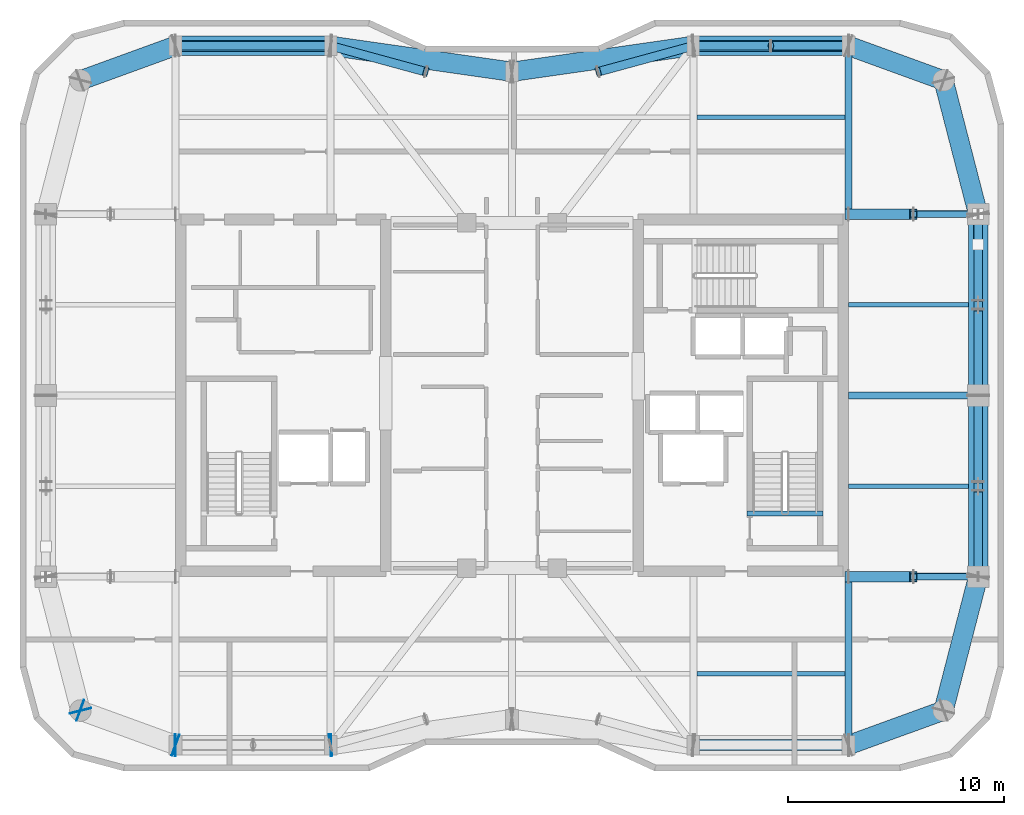
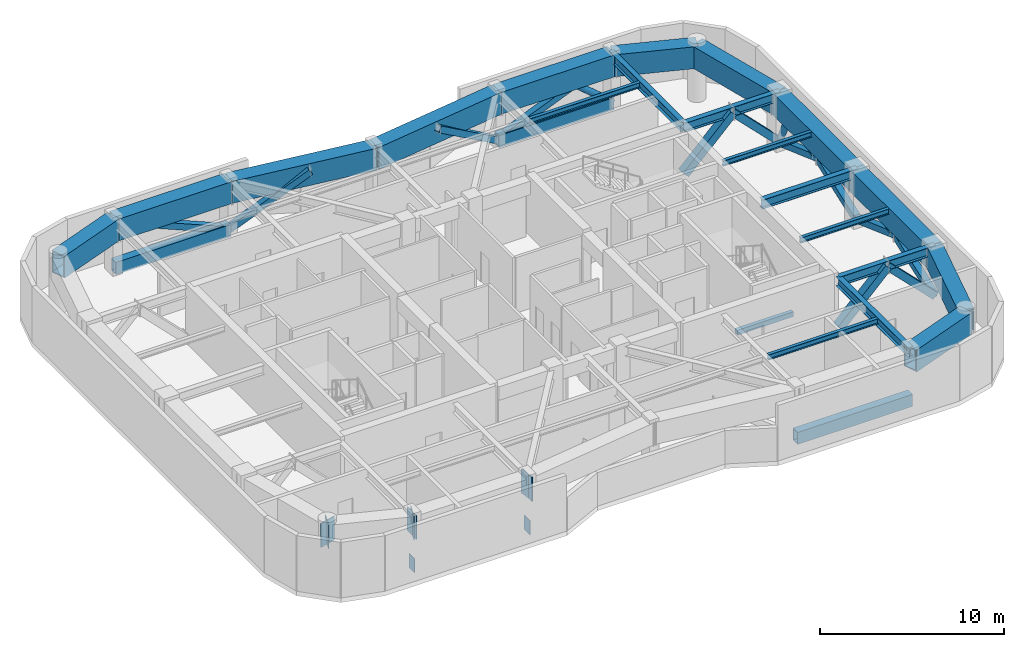
# One storey, part 2 of 11: 21 beams, 19 members, 8 plates.
"""IFC4 building model written with IfcOpenShell, lengths in metres."""

from ifc_helpers import new_model, si_unit, direction, frame, origin, origin_2d, place, context, subcontext, project, spatial, rectangle, hollow_rectangle, hollow_circle, i_section, extrude, material, layer, layer_set, material_profile, profile_set, type_object, element, save


model = new_model("IFC4")

# Units and contexts
model_context = context("Model", 3, precision=1e-05, world=origin(), true_north=direction((0.0, 1.0)))
body_context = subcontext(model_context, "Body", "Model", "MODEL_VIEW")
ifc_project = project(units=[si_unit("LENGTHUNIT", "METRE"), si_unit("AREAUNIT", "SQUARE_METRE"), si_unit("VOLUMEUNIT", "CUBIC_METRE"), si_unit("PLANEANGLEUNIT", "RADIAN"), si_unit("MASSUNIT", "GRAM", prefix="KILO")], contexts=[model_context])

# Site, building, storey
site_placement = place(None, origin())
site = spatial("IfcSite", under=ifc_project, at=site_placement, CompositionType="ELEMENT")
building_placement = place(site_placement, origin())
building = spatial("IfcBuilding", under=site, at=building_placement, Name="Kiyonajd Concourse Tower", CompositionType="ELEMENT")
storey_placement = place(building_placement, frame((0.0, 0.0, 282.300048828125)))
storey = spatial("IfcBuildingStorey", under=building, at=storey_placement, Name="L71", CompositionType="ELEMENT", Elevation=282.300048828125)

# Beams
ifc_material_1 = material(Name="Steel ASTM A992 Grade 50", Category="steel")
ifc_material_profile_1 = material_profile(ifc_material_1, i_section(OverallWidth=0.205078125, OverallDepth=0.35400390625, WebThickness=0.009521484375, FlangeThickness=0.016845703125, at=origin_2d()), Name="W360X79")
ifc_profile_set_1 = profile_set([ifc_material_profile_1], Name="Steel ASTM A992 Grade 50")
beam_type_1 = type_object("IfcBeamType", Name="BM-JST-360", PredefinedType="JOIST", material=ifc_profile_set_1)
for number, where, z_axis, x_axis, name in (
    (1, (56.56201171875, 23.10009765625, 3.5029296875), (1.0, 0.0, 0.0), (0.0, 1.0, 0.0), "L71 Secondary Floor Joist"),
    (2, (56.56201171875, 48.89990234375, 3.5029296875), (1.0, 0.0, 0.0), (0.0, 1.0, 0.0), "L71 Secondary Floor Joist"),
):
    element("IfcBeam", number, at=place(storey_placement, frame(where, z_axis=z_axis, x_axis=x_axis)), inside=storey, type_object=beam_type_1, Name=name, PredefinedType="JOIST", context=body_context, shape_type="SweptSolid", body=[
        extrude(i_section(OverallWidth=0.205078125, OverallDepth=0.35400390625, WebThickness=0.009521484375, FlangeThickness=0.016845703125, at=origin_2d()), origin(), (0.0, 0.0, 1.0), 6.8759765625),
    ])
for number, where, z_axis, x_axis, name in (
    (3, (63.60009765625, 31.800048828125, 3.5029296875), (1.0, 0.0, 0.0), (0.0, 1.0, 0.0), "L71 East Secondary Floor Joist"),
    (4, (63.60009765625, 40.199951171875, 3.5029296875), (1.0, 0.0, 0.0), (0.0, 1.0, 0.0), "L71 East Secondary Floor Joist"),
):
    element("IfcBeam", number, at=place(storey_placement, frame(where, z_axis=z_axis, x_axis=x_axis)), inside=storey, type_object=beam_type_1, Name=name, PredefinedType="JOIST", context=body_context, shape_type="SweptSolid", body=[
        extrude(i_section(OverallWidth=0.205078125, OverallDepth=0.35400390625, WebThickness=0.009521484375, FlangeThickness=0.016845703125, at=origin_2d()), origin(), (0.0, 0.0, 1.0), 5.5498046875),
    ])
ifc_material_2 = material(Name="Concrete C50/60", Category="concrete")
ifc_material_profile_2 = material_profile(ifc_material_2, rectangle(XDim=0.239990234375, YDim=0.320068359375, at=origin_2d()), Name="RCBM-240x320")
ifc_profile_set_2 = profile_set([ifc_material_profile_2], Name="Concrete C50/60")
beam_type_2 = type_object("IfcBeamType", Name="BM-LNT-250", PredefinedType="LINTEL", material=ifc_profile_set_2)
beam_1_placement = place(storey_placement, frame((58.889892578125, 30.530029296875, -0.16015625), z_axis=(1.0, 0.0, 0.0), x_axis=(0.0, 1.0, 0.0)))
element("IfcBeam", 5, at=beam_1_placement, inside=storey, type_object=beam_type_2, Name="L71 Stair ST2 Threshold Support Beam", PredefinedType="LINTEL", context=body_context, shape_type="SweptSolid", body=[
    extrude(rectangle(XDim=0.239990234375, YDim=0.320068359375, at=origin_2d()), origin(), (0.0, 0.0, 1.0), 3.52001953125),
])
ifc_material_profile_3 = material_profile(ifc_material_1, i_section(OverallWidth=0.323974609375, OverallDepth=0.611083984375, WebThickness=0.0126953125, FlangeThickness=0.01904296875, at=origin_2d()), Name="W610X155")
ifc_profile_set_3 = profile_set([ifc_material_profile_3], Name="Steel ASTM A992 Grade 50")
beam_type_3 = type_object("IfcBeamType", Name="BM-TWR-610B", PredefinedType="BEAM", material=ifc_profile_set_3)
for number, where, z_axis, x_axis, name in (
    (6, (63.60009765625, 19.800048828125, 3.37451171875), (0.0, 1.0, 0.0), (-1.0, 0.0, 0.0), "L71 South Lease Girder"),
    (7, (63.60009765625, 44.39990234375, 3.37451171875), (0.0, 1.0, 0.0), (-1.0, 0.0, 0.0), "L71 North Lease Girder"),
):
    element("IfcBeam", number, at=place(storey_placement, frame(where, z_axis=z_axis, x_axis=x_axis)), inside=storey, type_object=beam_type_3, Name=name, PredefinedType="BEAM", context=body_context, shape_type="SweptSolid", body=[
        extrude(i_section(OverallWidth=0.323974609375, OverallDepth=0.611083984375, WebThickness=0.0126953125, FlangeThickness=0.01904296875, at=origin_2d()), origin(), (0.0, 0.0, 1.0), 7.800048828125),
    ])
for number, where, z_axis, x_axis, name in (
    (8, (63.60009765625, 27.60009765625, 3.37451171875), (1.0, 0.0, 0.0), (0.0, 1.0, 0.0), "L71 East Lease Girder"),
    (9, (63.60009765625, 36.0, 3.37451171875), (1.0, 0.0, 0.0), (0.0, 1.0, 0.0), "L71 East Lease Girder"),
    (10, (63.60009765625, 44.39990234375, 3.37451171875), (1.0, 0.0, 0.0), (0.0, 1.0, 0.0), "L71 East Lease Girder"),
):
    element("IfcBeam", number, at=place(storey_placement, frame(where, z_axis=z_axis, x_axis=x_axis)), inside=storey, type_object=beam_type_3, Name=name, PredefinedType="BEAM", context=body_context, shape_type="SweptSolid", body=[
        extrude(i_section(OverallWidth=0.323974609375, OverallDepth=0.611083984375, WebThickness=0.0126953125, FlangeThickness=0.01904296875, at=origin_2d()), origin(), (0.0, 0.0, 1.0), 6.0),
    ])
ifc_material_3 = material(Name="Steel ASTM A572 Grade 50", Category="steel")
ifc_material_profile_4 = material_profile(ifc_material_3, hollow_rectangle(XDim=0.89990234375, YDim=1.449951171875, WallThickness=0.074951171875, at=origin_2d()), Name="BOX-1450x900x75")
ifc_profile_set_4 = profile_set([ifc_material_profile_4], Name="Steel ASTM A572 Grade 50")
beam_type_4 = type_object("IfcBeamType", Name="BM-XFER-1800", PredefinedType="BEAM", material=ifc_profile_set_4)
beam_2_placement = place(storey_placement, frame((63.60009765625, 19.800048828125, 2.954833984375), z_axis=(0.939801036019, 0.341722127901, 0.0), x_axis=(-0.341722127901, 0.939801036019, 0.0)))
element("IfcBeam", 11, at=beam_2_placement, inside=storey, type_object=beam_type_4, Name="L71 Perimeter Bundled Tube Spandrel", PredefinedType="BEAM", context=body_context, shape_type="SweptSolid", body=[
    extrude(hollow_rectangle(XDim=0.89990234375, YDim=1.449951171875, WallThickness=0.074951171875, at=origin_2d()), origin(), (0.0, 0.0, 1.0), 4.681640625),
])
beam_3_placement = place(storey_placement, frame((68.0, 21.39990234375, 2.954833984375), z_axis=(0.249884937687, 0.968275538221, 0.0), x_axis=(-0.968275538221, 0.249884937687, 0.0)))
element("IfcBeam", 12, at=beam_3_placement, inside=storey, type_object=beam_type_4, Name="L71 Perimeter Bundled Tube Spandrel", PredefinedType="BEAM", context=body_context, shape_type="SweptSolid", body=[
    extrude(hollow_rectangle(XDim=0.89990234375, YDim=1.449951171875, WallThickness=0.074951171875, at=origin_2d()), origin(), (0.0, 0.0, 1.0), 6.4033203125),
])
for number, where, z_axis, x_axis, name in (
    (13, (69.60009765625, 27.60009765625, 2.954833984375), (0.0, 1.0, 0.0), (-1.0, 0.0, 0.0), "L71 Perimeter Bundled Tube Spandrel"),
    (14, (69.60009765625, 36.0, 2.954833984375), (0.0, 1.0, 0.0), (-1.0, 0.0, 0.0), "L71 Perimeter Bundled Tube Spandrel"),
):
    element("IfcBeam", number, at=place(storey_placement, frame(where, z_axis=z_axis, x_axis=x_axis)), inside=storey, type_object=beam_type_4, Name=name, PredefinedType="BEAM", context=body_context, shape_type="SweptSolid", body=[
        extrude(hollow_rectangle(XDim=0.89990234375, YDim=1.449951171875, WallThickness=0.074951171875, at=origin_2d()), origin(), (0.0, 0.0, 1.0), 8.39990234375),
    ])
beam_4_placement = place(storey_placement, frame((69.60009765625, 44.39990234375, 2.954833984375), z_axis=(-0.249884937687, 0.968275538221, 0.0), x_axis=(-0.968275538221, -0.249884937687, 0.0)))
element("IfcBeam", 15, at=beam_4_placement, inside=storey, type_object=beam_type_4, Name="L71 Perimeter Bundled Tube Spandrel", PredefinedType="BEAM", context=body_context, shape_type="SweptSolid", body=[
    extrude(hollow_rectangle(XDim=0.89990234375, YDim=1.449951171875, WallThickness=0.074951171875, at=origin_2d()), origin(), (0.0, 0.0, 1.0), 6.4033203125),
])
beam_5_placement = place(storey_placement, frame((68.0, 50.60009765625, 2.954833984375), z_axis=(-0.939801036019, 0.341722127901, 0.0), x_axis=(-0.341722127901, -0.939801036019, 0.0)))
element("IfcBeam", 16, at=beam_5_placement, inside=storey, type_object=beam_type_4, Name="L71 Perimeter Bundled Tube Spandrel", PredefinedType="BEAM", context=body_context, shape_type="SweptSolid", body=[
    extrude(hollow_rectangle(XDim=0.89990234375, YDim=1.449951171875, WallThickness=0.074951171875, at=origin_2d()), origin(), (0.0, 0.0, 1.0), 4.681640625),
])
beam_6_placement = place(storey_placement, frame((63.60009765625, 52.199951171875, 2.954833984375), z_axis=(-1.0, 0.0, 0.0), x_axis=(0.0, -1.0, 0.0)))
element("IfcBeam", 17, at=beam_6_placement, inside=storey, type_object=beam_type_4, Name="L71 Perimeter Bundled Tube Spandrel", PredefinedType="BEAM", context=body_context, shape_type="SweptSolid", body=[
    extrude(hollow_rectangle(XDim=0.89990234375, YDim=1.449951171875, WallThickness=0.074951171875, at=origin_2d()), origin(), (0.0, 0.0, 1.0), 7.2001953125),
])
for number, where, z_axis, x_axis, name in (
    (18, (56.39990234375, 52.199951171875, 2.954833984375), (-0.989950069105, -0.141417328072, 0.0), (0.141417328072, -0.989950069105, 0.0), "L71 Perimeter Bundled Tube Spandrel"),
    (19, (48.0, 51.0, 2.954833984375), (-0.989950069105, 0.141417328072, 0.0), (-0.141417328072, -0.989950069105, 0.0), "L71 Perimeter Bundled Tube Spandrel"),
):
    element("IfcBeam", number, at=place(storey_placement, frame(where, z_axis=z_axis, x_axis=x_axis)), inside=storey, type_object=beam_type_4, Name=name, PredefinedType="BEAM", context=body_context, shape_type="SweptSolid", body=[
        extrude(hollow_rectangle(XDim=0.89990234375, YDim=1.449951171875, WallThickness=0.074951171875, at=origin_2d()), origin(), (0.0, 0.0, 1.0), 8.485107421875),
    ])
beam_7_placement = place(storey_placement, frame((39.60009765625, 52.199951171875, 2.954833984375), z_axis=(-1.0, 0.0, 0.0), x_axis=(0.0, -1.0, 0.0)))
element("IfcBeam", 20, at=beam_7_placement, inside=storey, type_object=beam_type_4, Name="L71 Perimeter Bundled Tube Spandrel", PredefinedType="BEAM", context=body_context, shape_type="SweptSolid", body=[
    extrude(hollow_rectangle(XDim=0.89990234375, YDim=1.449951171875, WallThickness=0.074951171875, at=origin_2d()), origin(), (0.0, 0.0, 1.0), 7.2001953125),
])
beam_8_placement = place(storey_placement, frame((32.39990234375, 52.199951171875, 2.954833984375), z_axis=(-0.939801036019, -0.341722127901, 0.0), x_axis=(0.341722127901, -0.939801036019, 0.0)))
element("IfcBeam", 21, at=beam_8_placement, inside=storey, type_object=beam_type_4, Name="L71 Perimeter Bundled Tube Spandrel", PredefinedType="BEAM", context=body_context, shape_type="SweptSolid", body=[
    extrude(hollow_rectangle(XDim=0.89990234375, YDim=1.449951171875, WallThickness=0.074951171875, at=origin_2d()), origin(), (0.0, 0.0, 1.0), 4.681640625),
])

# Members
ifc_material_profile_5 = material_profile(ifc_material_3, hollow_rectangle(XDim=0.5, YDim=0.800048828125, WallThickness=0.044921875, at=origin_2d()), Name="BOX-800x500x45")
ifc_profile_set_5 = profile_set([ifc_material_profile_5], Name="Steel ASTM A572 Grade 50")
member_type_1 = type_object("IfcMemberType", Name="MB-BT-CHORD", PredefinedType="CHORD", material=ifc_profile_set_5)
for number, where, z_axis, x_axis, name in (
    (22, (56.39990234375, 19.800048828125, 0.300048828125), (1.0, 0.0, 0.0), (0.0, 1.0, 0.0), "L71 Belt Truss Bottom Chord 02"),
    (23, (32.39990234375, 52.199951171875, 0.300048828125), (1.0, 0.0, 0.0), (0.0, 1.0, 0.0), "L71 Belt Truss Bottom Chord 03"),
    (24, (56.39990234375, 52.199951171875, 0.300048828125), (1.0, 0.0, 0.0), (0.0, 1.0, 0.0), "L71 Belt Truss Bottom Chord 04"),
):
    element("IfcMember", number, at=place(storey_placement, frame(where, z_axis=z_axis, x_axis=x_axis)), inside=storey, type_object=member_type_1, Name=name, PredefinedType="CHORD", context=body_context, shape_type="SweptSolid", body=[
        extrude(hollow_rectangle(XDim=0.5, YDim=0.800048828125, WallThickness=0.044921875, at=origin_2d()), origin(), (0.0, 0.0, 1.0), 7.2001953125),
    ])
ifc_material_4 = material(Name="Steel ASTM A500 Grade C", Category="steel")
ifc_material_profile_6 = material_profile(ifc_material_4, hollow_rectangle(XDim=0.39990234375, YDim=0.39990234375, WallThickness=0.02001953125, at=origin_2d()), Name="HSS-400x400x20")
ifc_profile_set_6 = profile_set([ifc_material_profile_6], Name="Steel ASTM A500 Grade C")
member_type_2 = type_object("IfcMemberType", Name="MB-BT-DIAG", PredefinedType="BRACE", material=ifc_profile_set_6)
member_1_placement = place(storey_placement, frame((32.39990234375, 52.199951171875, 3.329833984375), z_axis=(0.921721243884, 0.0, -0.387852998664), x_axis=(0.0, 1.0, 0.0)))
element("IfcMember", 25, at=member_1_placement, inside=storey, type_object=member_type_2, Name="L71 Outrigger and Belt Truss Member 13", PredefinedType="BRACE", context=body_context, shape_type="SweptSolid", body=[
    extrude(hollow_rectangle(XDim=0.39990234375, YDim=0.39990234375, WallThickness=0.02001953125, at=origin_2d()), origin(), (0.0, 0.0, 1.0), 7.811767578125),
])
for number, where, z_axis, x_axis, name in (
    (26, (39.60009765625, 52.199951171875, 0.300048828125), (0.803594966207, -0.219158209905, 0.553357758885), (0.263112876105, 0.964765056595, 0.0), "L71 Outrigger and Belt Truss Member 14"),
    (27, (52.0, 51.0, 3.329833984375), (0.803594966207, 0.219158209905, -0.553357758885), (-0.263112876105, 0.964765056595, 0.0), "L71 Outrigger and Belt Truss Member 15"),
):
    element("IfcMember", number, at=place(storey_placement, frame(where, z_axis=z_axis, x_axis=x_axis)), inside=storey, type_object=member_type_2, Name=name, PredefinedType="BRACE", context=body_context, shape_type="SweptSolid", body=[
        extrude(hollow_rectangle(XDim=0.39990234375, YDim=0.39990234375, WallThickness=0.02001953125, at=origin_2d()), origin(), (0.0, 0.0, 1.0), 5.475341796875),
    ])
member_2_placement = place(storey_placement, frame((56.39990234375, 52.199951171875, 0.300048828125), z_axis=(0.921721243884, 0.0, 0.387852998664), x_axis=(0.0, 1.0, 0.0)))
element("IfcMember", 28, at=member_2_placement, inside=storey, type_object=member_type_2, Name="L71 Outrigger and Belt Truss Member 16", PredefinedType="BRACE", context=body_context, shape_type="SweptSolid", body=[
    extrude(hollow_rectangle(XDim=0.39990234375, YDim=0.39990234375, WallThickness=0.02001953125, at=origin_2d()), origin(), (0.0, 0.0, 1.0), 7.811767578125),
])
member_3_placement = place(storey_placement, frame((69.60009765625, 27.60009765625, 3.329833984375), z_axis=(0.0, 0.940679508596, -0.339296422184), x_axis=(-1.0, 0.0, 0.0)))
element("IfcMember", 29, at=member_3_placement, inside=storey, type_object=member_type_2, Name="L71 Belt Truss Continuous X Brace E1", PredefinedType="BRACE", context=body_context, shape_type="SweptSolid", body=[
    extrude(hollow_rectangle(XDim=0.39990234375, YDim=0.39990234375, WallThickness=0.02001953125, at=origin_2d()), origin(), (0.0, 0.0, 1.0), 8.9296875),
])
member_4_placement = place(storey_placement, frame((69.60009765625, 27.60009765625, 0.300048828125), z_axis=(0.0, 0.940662309748, 0.3393441012), x_axis=(-1.0, 0.0, 0.0)))
element("IfcMember", 30, at=member_4_placement, inside=storey, type_object=member_type_2, Name="L71 Belt Truss Split X Brace Lower E1", PredefinedType="BRACE", context=body_context, shape_type="SweptSolid", body=[
    extrude(hollow_rectangle(XDim=0.39990234375, YDim=0.39990234375, WallThickness=0.02001953125, at=origin_2d()), origin(), (0.0, 0.0, 1.0), 4.234619140625),
])
member_5_placement = place(storey_placement, frame((69.60009765625, 32.016357421875, 1.89306640625), z_axis=(0.0, 0.94068734852, 0.339274685668), x_axis=(-1.0, 0.0, 0.0)))
element("IfcMember", 31, at=member_5_placement, inside=storey, type_object=member_type_2, Name="L71 Belt Truss Split X Brace Upper E1", PredefinedType="BRACE", context=body_context, shape_type="SweptSolid", body=[
    extrude(hollow_rectangle(XDim=0.39990234375, YDim=0.39990234375, WallThickness=0.02001953125, at=origin_2d()), origin(), (0.0, 0.0, 1.0), 4.23486328125),
])
member_6_placement = place(storey_placement, frame((69.60009765625, 36.0, 3.329833984375), z_axis=(0.0, 0.940679508596, -0.339296422184), x_axis=(-1.0, 0.0, 0.0)))
element("IfcMember", 32, at=member_6_placement, inside=storey, type_object=member_type_2, Name="L71 Belt Truss Continuous X Brace E2", PredefinedType="BRACE", context=body_context, shape_type="SweptSolid", body=[
    extrude(hollow_rectangle(XDim=0.39990234375, YDim=0.39990234375, WallThickness=0.02001953125, at=origin_2d()), origin(), (0.0, 0.0, 1.0), 8.9296875),
])
member_7_placement = place(storey_placement, frame((69.60009765625, 36.0, 0.300048828125), z_axis=(0.0, 0.940668948177, 0.339325698901), x_axis=(-1.0, 0.0, 0.0)))
element("IfcMember", 33, at=member_7_placement, inside=storey, type_object=member_type_2, Name="L71 Belt Truss Split X Brace Lower E2", PredefinedType="BRACE", context=body_context, shape_type="SweptSolid", body=[
    extrude(hollow_rectangle(XDim=0.39990234375, YDim=0.39990234375, WallThickness=0.02001953125, at=origin_2d()), origin(), (0.0, 0.0, 1.0), 4.23486328125),
])
member_8_placement = place(storey_placement, frame((69.60009765625, 40.41650390625, 1.89306640625), z_axis=(0.0, 0.940680711957, 0.33929308592), x_axis=(-1.0, 0.0, 0.0)))
element("IfcMember", 34, at=member_8_placement, inside=storey, type_object=member_type_2, Name="L71 Belt Truss Split X Brace Upper E2", PredefinedType="BRACE", context=body_context, shape_type="SweptSolid", body=[
    extrude(hollow_rectangle(XDim=0.39990234375, YDim=0.39990234375, WallThickness=0.02001953125, at=origin_2d()), origin(), (0.0, 0.0, 1.0), 4.234619140625),
])
ifc_material_profile_7 = material_profile(ifc_material_4, hollow_rectangle(XDim=0.300048828125, YDim=0.449951171875, WallThickness=0.02197265625, at=origin_2d()), Name="HSS-450x300x22")
ifc_profile_set_7 = profile_set([ifc_material_profile_7], Name="Steel ASTM A500 Grade C")
member_type_3 = type_object("IfcMemberType", Name="MB-OT-DIAG", PredefinedType="BRACE", material=ifc_profile_set_7)
for number, where, z_axis, x_axis, name in (
    (35, (66.60009765625, 27.60009765625, 3.329833984375), (0.703605322108, 0.0, -0.710590986927), (0.0, 1.0, 0.0), "L71 Outrigger and Belt Truss Member 06"),
    (36, (66.60009765625, 44.39990234375, 3.329833984375), (0.703605322108, 0.0, -0.710590986927), (0.0, 1.0, 0.0), "L71 Outrigger and Belt Truss Member 08"),
):
    element("IfcMember", number, at=place(storey_placement, frame(where, z_axis=z_axis, x_axis=x_axis)), inside=storey, type_object=member_type_3, Name=name, PredefinedType="BRACE", context=body_context, shape_type="SweptSolid", body=[
        extrude(hollow_rectangle(XDim=0.300048828125, YDim=0.449951171875, WallThickness=0.02197265625, at=origin_2d()), origin(), (0.0, 0.0, 1.0), 4.263671875),
    ])
ifc_material_profile_8 = material_profile(ifc_material_3, hollow_rectangle(XDim=0.5, YDim=0.5, WallThickness=0.02490234375, at=origin_2d()), Name="HSS-500x500x25")
ifc_profile_set_8 = profile_set([ifc_material_profile_8], Name="Steel ASTM A572 Grade 50")
member_type_4 = type_object("IfcMemberType", Name="MB-OT-STRUT", PredefinedType="STRUT", material=ifc_profile_set_8)
for number, where, z_axis, x_axis, name in (
    (37, (63.60009765625, 27.60009765625, 0.300048828125), (0.703605322108, 0.0, 0.710590986927), (0.0, 1.0, 0.0), "L71 Outrigger and Belt Truss Member 05"),
    (38, (63.60009765625, 44.39990234375, 0.300048828125), (0.703605322108, 0.0, 0.710590986927), (0.0, 1.0, 0.0), "L71 Outrigger and Belt Truss Member 07"),
):
    element("IfcMember", number, at=place(storey_placement, frame(where, z_axis=z_axis, x_axis=x_axis)), inside=storey, type_object=member_type_4, Name=name, PredefinedType="STRUT", context=body_context, shape_type="SweptSolid", body=[
        extrude(hollow_rectangle(XDim=0.5, YDim=0.5, WallThickness=0.02490234375, at=origin_2d()), origin(), (0.0, 0.0, 1.0), 4.263671875),
    ])
ifc_material_profile_9 = material_profile(ifc_material_4, hollow_circle(Radius=0.202880859375, WallThickness=0.01904296875, at=origin_2d()), Name="CHS-406x19")
ifc_profile_set_9 = profile_set([ifc_material_profile_9], Name="Steel ASTM A500 Grade C")
member_type_5 = type_object("IfcMemberType", Name="MB-PB-HIGH", PredefinedType="BRACE", material=ifc_profile_set_9)
member_9_placement = place(storey_placement, frame((63.60009765625, 52.199951171875, 0.300048828125), z_axis=(-0.765107605277, 0.0, 0.643902440085), x_axis=(0.0, -1.0, 0.0)))
element("IfcMember", 39, at=member_9_placement, inside=storey, type_object=member_type_5, Name="L71 Upper Zone Hollow Tube Brace PBN", PredefinedType="BRACE", context=body_context, shape_type="SweptSolid", body=[
    extrude(hollow_circle(Radius=0.202880859375, WallThickness=0.01904296875, at=origin_2d()), origin(), (0.0, 0.0, 1.0), 4.705322265625),
])
member_10_placement = place(storey_placement, frame((69.60009765625, 44.39990234375, 0.300048828125), z_axis=(0.0, -0.419438517439, 0.907783746323), x_axis=(1.0, 0.0, 0.0)))
element("IfcMember", 40, at=member_10_placement, inside=storey, type_object=member_type_5, Name="L71 Upper Zone Hollow Tube Brace PBE", PredefinedType="BRACE", context=body_context, shape_type="SweptSolid", body=[
    extrude(hollow_circle(Radius=0.202880859375, WallThickness=0.01904296875, at=origin_2d()), origin(), (0.0, 0.0, 1.0), 3.337646484375),
])

# Plates
ifc_layer = layer(ifc_material_3, 0.031982421875)
ifc_layer_set = layer_set([ifc_layer], Name="Steel ASTM A572 Grade 50")
plate_type = type_object("IfcPlateType", Name="PL-CAP-540", PredefinedType="USERDEFINED", material=ifc_layer_set)
for number, where, z_axis, x_axis, name in (
    (41, (32.388916015625, 19.800048828125, -0.169921875), (0.0, 0.0, 1.0), (-1.0, 0.0, 0.0), "L71 Belt Chord Cap Plate"),
    (42, (39.611083984375, 19.800048828125, -0.169921875), (0.0, 0.0, 1.0), (1.0, 0.0, 0.0), "L71 Belt Chord Cap Plate"),
):
    element("IfcPlate", number, at=place(storey_placement, frame(where, z_axis=z_axis, x_axis=x_axis)), inside=storey, type_object=plate_type, Name=name, ObjectType="CAP PLATE", PredefinedType="USERDEFINED", context=body_context, shape_type="SweptSolid", body=[
        extrude(rectangle(XDim=0.035888671875, YDim=0.6201171875, at=origin_2d()), origin(), (0.0, 0.0, 1.0), 0.93994140625),
    ])
for number, where, z_axis, x_axis, name in (
    (43, (28.002685546875, 21.389404296875, 2.15966796875), (0.0, 0.0, 1.0), (0.249873048837, -0.968278606324, 0.0), "L71 Welded Box Girder End Cap"),
    (44, (27.98974609375, 21.40380859375, 2.15966796875), (0.0, 0.0, 1.0), (-0.939811951086, 0.341692107891, 0.0), "L71 Welded Box Girder End Cap"),
    (45, (32.410400390625, 19.796142578125, 2.15966796875), (0.0, 0.0, 1.0), (0.939811951086, -0.341692107891, 0.0), "L71 Welded Box Girder End Cap"),
    (46, (32.388916015625, 19.800048828125, 2.15966796875), (0.0, 0.0, 1.0), (-1.0, 0.0, 0.0), "L71 Welded Box Girder End Cap"),
    (47, (39.611083984375, 19.800048828125, 2.15966796875), (0.0, 0.0, 1.0), (1.0, 0.0, 0.0), "L71 Welded Box Girder End Cap"),
    (48, (39.589111328125, 19.79833984375, 2.15966796875), (0.0, 0.0, 1.0), (-0.989949746297, -0.141419587774, 0.0), "L71 Welded Box Girder End Cap"),
):
    element("IfcPlate", number, at=place(storey_placement, frame(where, z_axis=z_axis, x_axis=x_axis)), inside=storey, type_object=plate_type, Name=name, ObjectType="CAP PLATE", PredefinedType="USERDEFINED", context=body_context, shape_type="SweptSolid", body=[
        extrude(rectangle(XDim=0.035888671875, YDim=1.02001953125, at=origin_2d()), origin(), (0.0, 0.0, 1.0), 1.590087890625),
    ])

save(model, "model.ifc")
